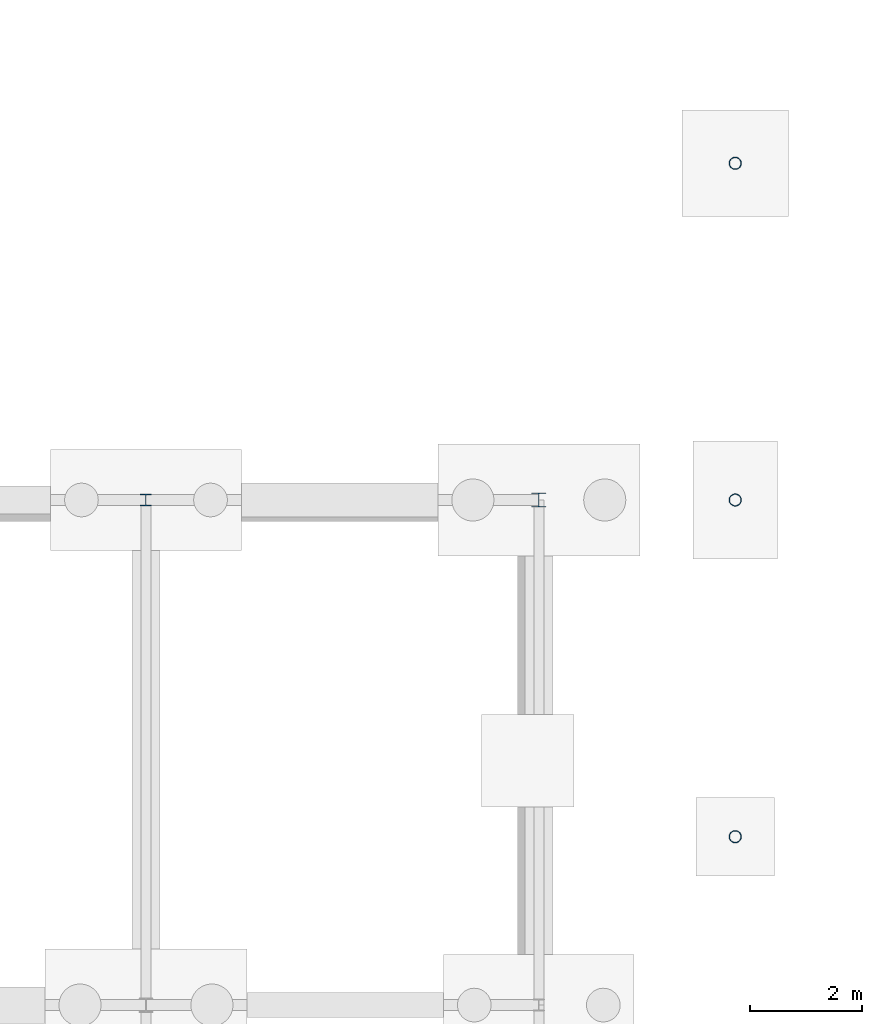
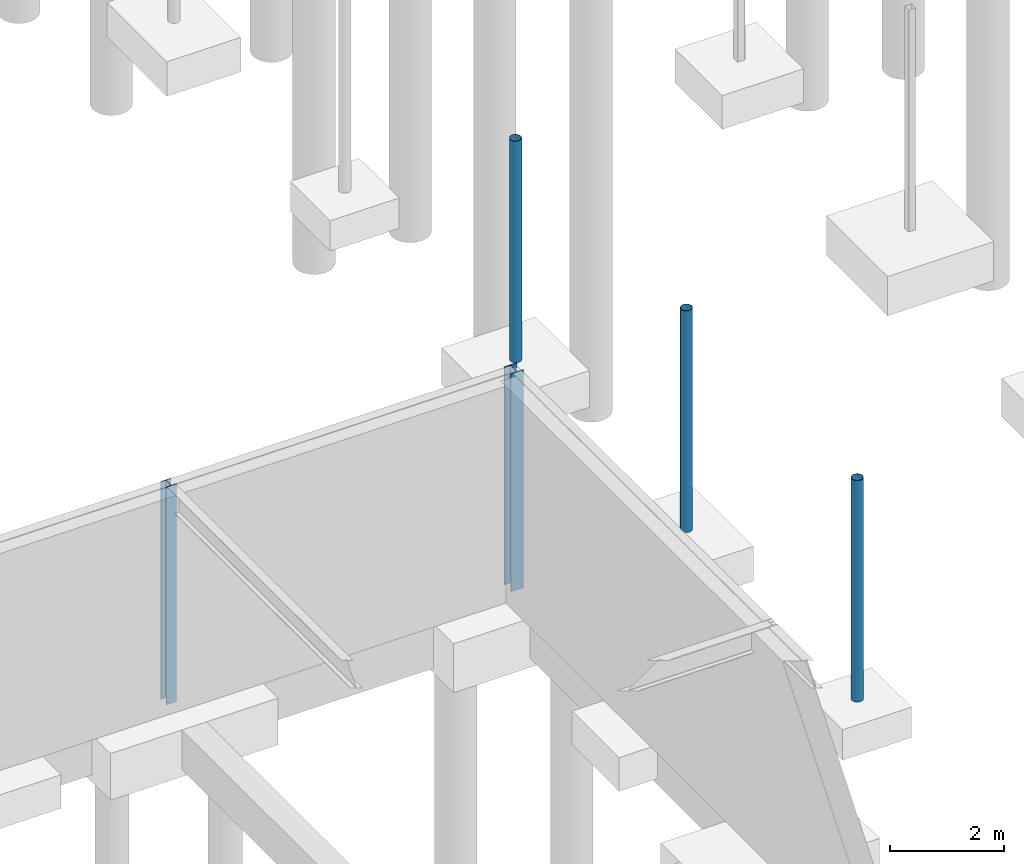
# One storey, part 26 of 75: 5 columns.
"""IFC4 building model written with IfcOpenShell, lengths in metres."""

from ifc_helpers import new_model, si_unit, derived_unit, direction, frame, origin, origin_2d_with_axis, place, context, subcontext, project, spatial, hollow_circle, i_section, extrude, material, material_profile, profile_set, type_object, element, save


model = new_model("IFC4")

# Units and contexts
model_context = context("Model", 3, precision=1e-05, world=origin(), true_north=direction((0.0, 1.0)))
body_context = subcontext(model_context, "Body", "Model", "MODEL_VIEW")
ifc_project = project(units=[si_unit("LENGTHUNIT", "METRE"), si_unit("AREAUNIT", "SQUARE_METRE"), si_unit("VOLUMEUNIT", "CUBIC_METRE"), si_unit("PLANEANGLEUNIT", "RADIAN"), si_unit("MASSUNIT", "GRAM", prefix="KILO"), derived_unit("THERMALTRANSMITTANCEUNIT", [(si_unit("POWERUNIT", "WATT"), 1), (si_unit("LENGTHUNIT", "METRE"), -2), (si_unit("THERMODYNAMICTEMPERATUREUNIT", "KELVIN"), -1)])], contexts=[model_context])

# Site, building, storey
site_placement = place(None, origin())
site = spatial("IfcSite", under=ifc_project, at=site_placement, CompositionType="ELEMENT")
building_placement = place(site_placement, origin())
building = spatial("IfcBuilding", under=site, at=building_placement, Name="Cinnabar Yard Market Hall", CompositionType="ELEMENT")
storey_placement = place(building_placement, frame((0.0, 0.0, -4.5)))
storey = spatial("IfcBuildingStorey", under=building, at=storey_placement, Name="B1", CompositionType="ELEMENT", Elevation=-4.5)

# Columns
ifc_material_1 = material(Name="Spotted-gum glulam-clad steel Grade 350 (350 MPa)", Category="steel")
ifc_material_profile_1 = material_profile(ifc_material_1, hollow_circle(Radius=0.109619140625, WallThickness=0.00830078125, at=origin_2d_with_axis()), Name="219.1x8.2CHS")
ifc_profile_set_1 = profile_set([ifc_material_profile_1], Name="Spotted-gum glulam-clad steel Grade 350 (350 MPa)")
column_type_1 = type_object("IfcColumnType", Name="COL-C05", PredefinedType="COLUMN", material=ifc_profile_set_1)
for number, where, z_axis, x_axis, name in (
    (1, (55.5, 78.0, -0.449951171875), (0.0, 0.0, 1.0), (1.0, 0.0, 0.0), "Passage Pier V5W-A1 B1"),
    (2, (55.5, 84.0, -0.449951171875), (0.0, 0.0, 1.0), (1.0, 0.0, 0.0), "Passage Pier V5W-A2 B1"),
    (3, (55.5, 90.0, -0.449951171875), (0.0, 0.0, 1.0), (1.0, 0.0, 0.0), "Passage Pier V5W-A3 B1"),
):
    element("IfcColumn", number, at=place(storey_placement, frame(where, z_axis=z_axis, x_axis=x_axis)), inside=storey, type_object=column_type_1, Name=name, PredefinedType="COLUMN", context=body_context, shape_type="SweptSolid", body=[
        extrude(hollow_circle(Radius=0.109619140625, WallThickness=0.00830078125, at=origin_2d_with_axis()), origin(), (0.0, 0.0, 1.0), 4.75),
    ])
ifc_material_2 = material(Name="Steel Grade 300 (300 MPa)", Category="steel")
ifc_material_profile_2 = material_profile(ifc_material_2, i_section(OverallWidth=0.25390625, OverallDepth=0.25390625, WebThickness=0.008544921875, FlangeThickness=0.01416015625, FilletRadius=0.013916015625, at=origin_2d_with_axis()), Name="250UC72.9")
ifc_profile_set_2 = profile_set([ifc_material_profile_2], Name="Steel Grade 300 (300 MPa)")
column_type_2 = type_object("IfcColumnType", Name="COL-C11", PredefinedType="COLUMN", material=ifc_profile_set_2)
column_1_placement = place(storey_placement, frame((52.0, 84.0, -0.449951171875), z_axis=(0.0, 0.0, 1.0), x_axis=(1.0, 0.0, 0.0)))
element("IfcColumn", 4, at=column_1_placement, inside=storey, type_object=column_type_2, Name="Pavilion Pier V2-07-05 B1", PredefinedType="COLUMN", context=body_context, shape_type="SweptSolid", body=[
    extrude(i_section(OverallWidth=0.25390625, OverallDepth=0.25390625, WebThickness=0.008544921875, FlangeThickness=0.01416015625, FilletRadius=0.013916015625, at=origin_2d_with_axis()), origin(), (0.0, 0.0, 1.0), 4.669921875),
])
ifc_material_profile_3 = material_profile(ifc_material_2, i_section(OverallWidth=0.205078125, OverallDepth=0.209716796875, WebThickness=0.00927734375, FlangeThickness=0.01416015625, FilletRadius=0.011474609375, at=origin_2d_with_axis()), Name="200UC59.5")
ifc_profile_set_3 = profile_set([ifc_material_profile_3], Name="Steel Grade 300 (300 MPa)")
column_type_3 = type_object("IfcColumnType", Name="COL-C12", PredefinedType="COLUMN", material=ifc_profile_set_3)
column_2_placement = place(storey_placement, frame((45.0, 84.0, -0.449951171875), z_axis=(0.0, 0.0, 1.0), x_axis=(1.0, 0.0, 0.0)))
element("IfcColumn", 5, at=column_2_placement, inside=storey, type_object=column_type_3, Name="Pavilion Pier V2-06-05 B1", PredefinedType="COLUMN", context=body_context, shape_type="SweptSolid", body=[
    extrude(i_section(OverallWidth=0.205078125, OverallDepth=0.209716796875, WebThickness=0.00927734375, FlangeThickness=0.01416015625, FilletRadius=0.011474609375, at=origin_2d_with_axis()), origin(), (0.0, 0.0, 1.0), 4.669921875),
])

save(model, "model.ifc")
